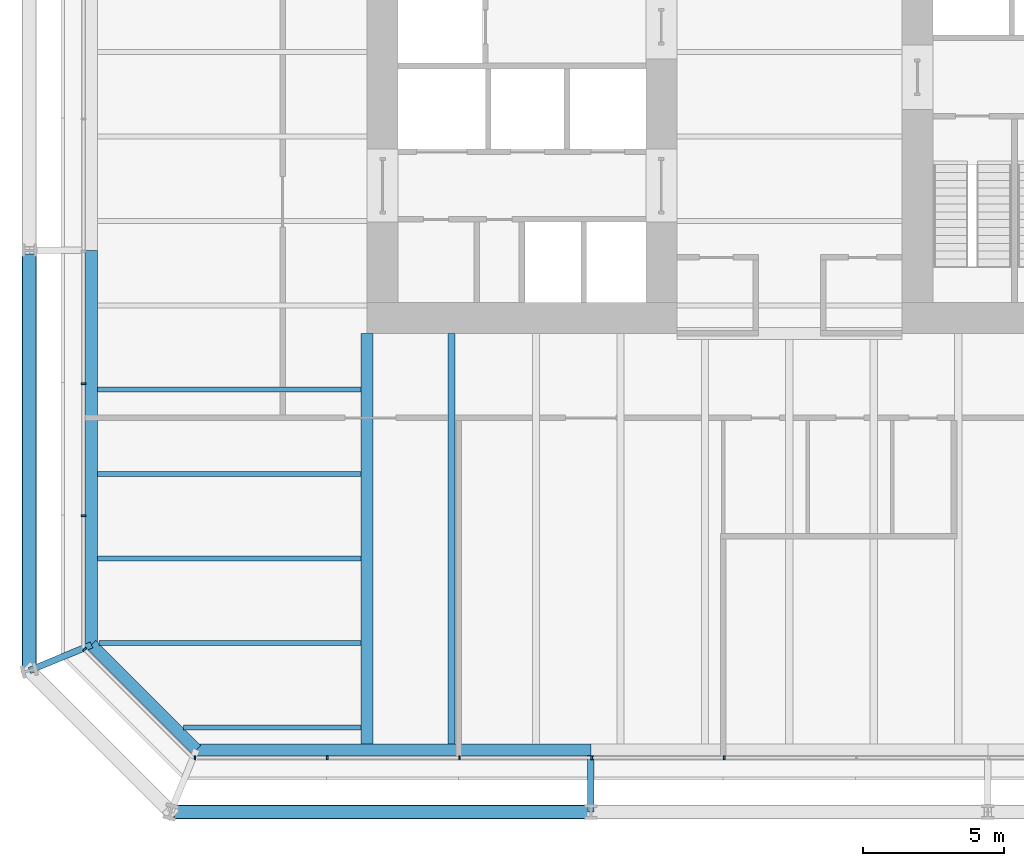
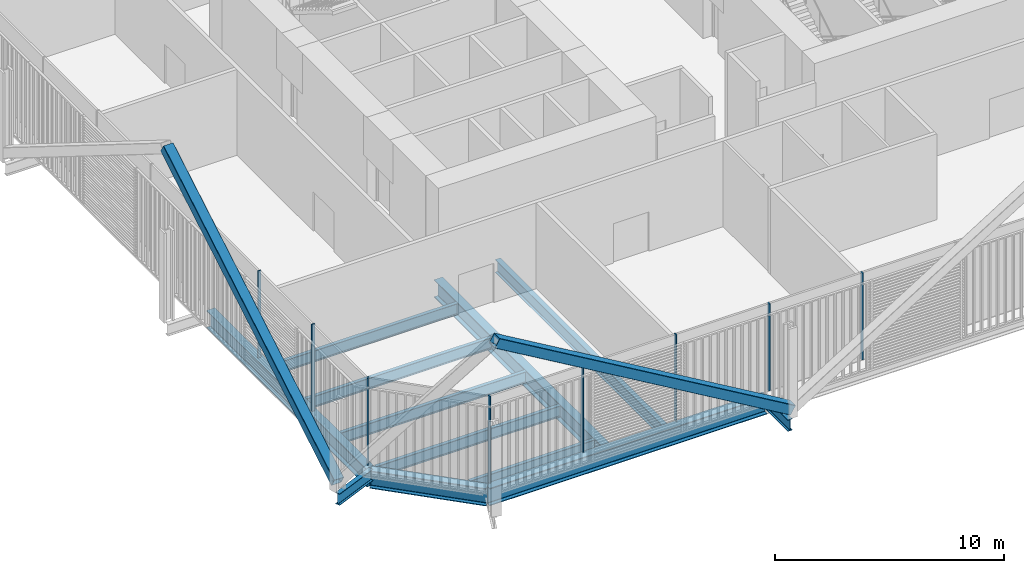
# One storey, part 2 of 22: 12 beams, 10 members, 3 elements without a shape of their own.
"""IFC4 building model written with IfcOpenShell, lengths in metres."""

from ifc_helpers import new_model, si_unit, direction, frame, origin, origin_2d, place, context, subcontext, project, spatial, rectangle, hollow_rectangle, i_section, extrude, material, layer, layer_set, material_profile, profile_set, type_object, element, aggregate, save


model = new_model("IFC4")

# Units and contexts
model_context = context("Model", 3, precision=1e-05, world=origin(), true_north=direction((0.0, 1.0)))
body_context = subcontext(model_context, "Body", "Model", "MODEL_VIEW")
ifc_project = project(units=[si_unit("LENGTHUNIT", "METRE"), si_unit("AREAUNIT", "SQUARE_METRE"), si_unit("VOLUMEUNIT", "CUBIC_METRE"), si_unit("PLANEANGLEUNIT", "RADIAN"), si_unit("MASSUNIT", "GRAM", prefix="KILO")], contexts=[model_context])

# Site, building, storey
site_placement = place(None, origin())
site = spatial("IfcSite", under=ifc_project, at=site_placement, CompositionType="ELEMENT")
building_placement = place(site_placement, origin())
building = spatial("IfcBuilding", under=site, at=building_placement, Name="Millrace Tower", CompositionType="ELEMENT")
storey_placement = place(building_placement, frame((0.0, 0.0, 20.89990234375)))
storey = spatial("IfcBuildingStorey", under=building, at=storey_placement, Name="L05", CompositionType="ELEMENT", Elevation=20.89990234375)

# Curtain wall, member
ifc_material_1 = material(Name="Aluminium and glass", Category="aluminium")
ifc_layer = layer(ifc_material_1, 0.14990234375)
ifc_layer_set = layer_set([ifc_layer], Name="Aluminium and glass")
curtain_wall_type = type_object("IfcCurtainWallType", Name="CW-2 data hall insulated curtain wall", PredefinedType="NOTDEFINED", material=ifc_layer_set)
placement = place(storey_placement, origin())
curtain_wall_1 = element("IfcCurtainWall", 1, at=placement, inside=storey, type_object=curtain_wall_type, Name="Curtain wall A-F01 L05", PredefinedType="NOTDEFINED")
ifc_material_2 = material(Name="Aluminium", Category="aluminium")
ifc_material_profile_1 = material_profile(ifc_material_2, rectangle(XDim=0.06494140625, YDim=0.14990234375, at=origin_2d()))
ifc_profile_set_1 = profile_set([ifc_material_profile_1], Name="Aluminium")
member_type_1 = type_object("IfcMemberType", Name="CW-2 data hall insulated curtain wall mullion", PredefinedType="MULLION", material=ifc_profile_set_1)
member_1_placement = place(storey_placement, frame((-25.030029296875, -21.22607421875, 0.16015625), z_axis=(0.0, 0.0, 1.0), x_axis=(0.707106781187, -0.707106781187, 0.0)))
member_1 = element("IfcMember", 2, at=member_1_placement, type_object=member_type_1, Name="CW2 mullion A-F01.1", PredefinedType="MULLION", context=body_context, shape_type="SweptSolid", body=[
    extrude(rectangle(XDim=0.06494140625, YDim=0.14990234375, at=origin_2d()), origin(), (0.0, 0.0, 1.0), 4.639892578125),
])
aggregate(curtain_wall_1, [member_1])

# Curtain wall, members
curtain_wall_2 = element("IfcCurtainWall", 3, at=placement, inside=storey, type_object=curtain_wall_type, Name="Curtain wall A-F02 L05", PredefinedType="NOTDEFINED")
member_2_placement = place(storey_placement, frame((-21.117431640625, -25.074951171875, 0.16015625), z_axis=(0.0, 0.0, 1.0), x_axis=(1.0, 0.0, 0.0)))
member_2 = element("IfcMember", 4, at=member_2_placement, type_object=member_type_1, Name="CW2 mullion A-F02.1", PredefinedType="MULLION", context=body_context, shape_type="SweptSolid", body=[
    extrude(rectangle(XDim=0.06494140625, YDim=0.14990234375, at=origin_2d()), origin(), (0.0, 0.0, 1.0), 4.639892578125),
])
member_3_placement = place(storey_placement, frame((-16.41748046875, -25.074951171875, 0.16015625), z_axis=(0.0, 0.0, 1.0), x_axis=(1.0, 0.0, 0.0)))
member_3 = element("IfcMember", 5, at=member_3_placement, type_object=member_type_1, Name="CW2 mullion A-F02.2", PredefinedType="MULLION", context=body_context, shape_type="SweptSolid", body=[
    extrude(rectangle(XDim=0.06494140625, YDim=0.14990234375, at=origin_2d()), origin(), (0.0, 0.0, 1.0), 4.639892578125),
])
member_4_placement = place(storey_placement, frame((-11.717529296875, -25.074951171875, 0.16015625), z_axis=(0.0, 0.0, 1.0), x_axis=(1.0, 0.0, 0.0)))
member_4 = element("IfcMember", 6, at=member_4_placement, type_object=member_type_1, Name="CW2 mullion A-F02.3", PredefinedType="MULLION", context=body_context, shape_type="SweptSolid", body=[
    extrude(rectangle(XDim=0.06494140625, YDim=0.14990234375, at=origin_2d()), origin(), (0.0, 0.0, 1.0), 4.639892578125),
])
member_5_placement = place(storey_placement, frame((-7.017578125, -25.074951171875, 0.16015625), z_axis=(0.0, 0.0, 1.0), x_axis=(1.0, 0.0, 0.0)))
member_5 = element("IfcMember", 7, at=member_5_placement, type_object=member_type_1, Name="CW2 mullion A-F02.4", PredefinedType="MULLION", context=body_context, shape_type="SweptSolid", body=[
    extrude(rectangle(XDim=0.06494140625, YDim=0.14990234375, at=origin_2d()), origin(), (0.0, 0.0, 1.0), 4.639892578125),
])
member_6_placement = place(storey_placement, frame((-2.3173828125, -25.074951171875, 0.16015625), z_axis=(0.0, 0.0, 1.0), x_axis=(1.0, 0.0, 0.0)))
member_6 = element("IfcMember", 8, at=member_6_placement, type_object=member_type_1, Name="CW2 mullion A-F02.5", PredefinedType="MULLION", context=body_context, shape_type="SweptSolid", body=[
    extrude(rectangle(XDim=0.06494140625, YDim=0.14990234375, at=origin_2d()), origin(), (0.0, 0.0, 1.0), 4.639892578125),
])
aggregate(curtain_wall_2, [member_2, member_3, member_4, member_5, member_6])

curtain_wall_3 = element("IfcCurtainWall", 9, at=placement, inside=storey, type_object=curtain_wall_type, Name="Curtain wall A-F08 L05", PredefinedType="NOTDEFINED")
member_7_placement = place(storey_placement, frame((-25.074951171875, -11.782470703125, 0.16015625), z_axis=(0.0, 0.0, 1.0), x_axis=(0.0, -1.0, 0.0)))
member_7 = element("IfcMember", 10, at=member_7_placement, type_object=member_type_1, Name="CW2 mullion A-F08.8", PredefinedType="MULLION", context=body_context, shape_type="SweptSolid", body=[
    extrude(rectangle(XDim=0.06494140625, YDim=0.14990234375, at=origin_2d()), origin(), (0.0, 0.0, 1.0), 4.639892578125),
])
member_8_placement = place(storey_placement, frame((-25.074951171875, -16.482421875, 0.16015625), z_axis=(0.0, 0.0, 1.0), x_axis=(0.0, -1.0, 0.0)))
member_8 = element("IfcMember", 11, at=member_8_placement, type_object=member_type_1, Name="CW2 mullion A-F08.9", PredefinedType="MULLION", context=body_context, shape_type="SweptSolid", body=[
    extrude(rectangle(XDim=0.06494140625, YDim=0.14990234375, at=origin_2d()), origin(), (0.0, 0.0, 1.0), 4.639892578125),
])
aggregate(curtain_wall_3, [member_7, member_8])

# Members
ifc_material_3 = material(Name="Steel ASTM A500 Grade C", Category="steel")
ifc_material_profile_2 = material_profile(ifc_material_3, hollow_rectangle(XDim=0.508056640625, YDim=0.508056640625, WallThickness=0.022216796875, InnerFilletRadius=0.01123046875, OuterFilletRadius=0.033447265625, at=origin_2d()))
ifc_profile_set_2 = profile_set([ifc_material_profile_2], Name="Steel ASTM A500 Grade C")
member_type_2 = type_object("IfcMemberType", Name="Exoskeleton brace HSS20x20x7/8", PredefinedType="BRACE", material=ifc_profile_set_2)
for number, where, z_axis, x_axis, name in (
    (12, (-7.050048828125, -27.0, 0.400146484375), (-0.861464835883, 0.0, 0.507817227491), (0.0, -1.0, 0.0), "BRC-A-L05-02"),
    (13, (-27.0, -21.978515625, 0.400146484375), (0.0, 0.861464835883, 0.507817227491), (-1.0, 0.0, 0.0), "BRC-A-L05-16"),
):
    element("IfcMember", number, at=place(storey_placement, frame(where, z_axis=z_axis, x_axis=x_axis)), inside=storey, type_object=member_type_2, Name=name, PredefinedType="BRACE", context=body_context, shape_type="SweptSolid", body=[
        extrude(hollow_rectangle(XDim=0.508056640625, YDim=0.508056640625, WallThickness=0.022216796875, InnerFilletRadius=0.01123046875, OuterFilletRadius=0.033447265625, at=origin_2d()), origin(), (0.0, 0.0, 1.0), 17.3291015625),
    ])

# Beams
ifc_material_4 = material(Name="Steel ASTM A992 Grade 50", Category="steel")
ifc_material_profile_3 = material_profile(ifc_material_4, i_section(OverallWidth=0.177978515625, OverallDepth=0.599365234375, WebThickness=0.010009765625, FlangeThickness=0.012939453125, FilletRadius=0.012939453125, at=origin_2d()))
ifc_profile_set_3 = profile_set([ifc_material_profile_3], Name="Steel ASTM A992 Grade 50")
beam_type_1 = type_object("IfcBeamType", Name="Floor beam W24x55", PredefinedType="JOIST", material=ifc_profile_set_3)
beam_1_placement = place(storey_placement, frame((-21.52978515625, -24.0, -0.524658203125), z_axis=(1.0, 0.0, 0.0), x_axis=(0.0, 1.0, 0.0)))
element("IfcBeam", 14, at=beam_1_placement, inside=storey, type_object=beam_type_1, Name="BM-A-L05-S1-S001", PredefinedType="JOIST", context=body_context, shape_type="SweptSolid", body=[
    extrude(i_section(OverallWidth=0.177978515625, OverallDepth=0.599365234375, WebThickness=0.010009765625, FlangeThickness=0.012939453125, FilletRadius=0.012939453125, at=origin_2d()), origin(), (0.0, 0.0, 1.0), 6.317626953125),
])
ifc_material_5 = material(Name="Steel ASTM A992 Grade 50", Category="steel")
ifc_material_profile_4 = material_profile(ifc_material_5, i_section(OverallWidth=0.1787109375, OverallDepth=0.60205078125, WebThickness=0.010986328125, FlangeThickness=0.014892578125, FilletRadius=0.0126953125, at=origin_2d()))
ifc_profile_set_4 = profile_set([ifc_material_profile_4], Name="Steel ASTM A992 Grade 50")
beam_type_2 = type_object("IfcBeamType", Name="Floor beam W24x62", PredefinedType="JOIST", material=ifc_profile_set_4)
for number, where, z_axis, x_axis, name in (
    (15, (-24.578369140625, -18.0, -0.52587890625), (1.0, 0.0, 0.0), (0.0, 1.0, 0.0), "BM-A-L05-S1-S005"),
    (16, (-24.578369140625, -15.0, -0.52587890625), (1.0, 0.0, 0.0), (0.0, 1.0, 0.0), "BM-A-L05-S1-S007"),
    (17, (-24.578369140625, -12.0, -0.52587890625), (1.0, 0.0, 0.0), (0.0, 1.0, 0.0), "BM-A-L05-S1-S009"),
):
    element("IfcBeam", number, at=place(storey_placement, frame(where, z_axis=z_axis, x_axis=x_axis)), inside=storey, type_object=beam_type_2, Name=name, PredefinedType="JOIST", context=body_context, shape_type="SweptSolid", body=[
        extrude(i_section(OverallWidth=0.1787109375, OverallDepth=0.60205078125, WebThickness=0.010986328125, FlangeThickness=0.014892578125, FilletRadius=0.0126953125, at=origin_2d()), origin(), (0.0, 0.0, 1.0), 9.3662109375),
    ])
beam_2_placement = place(storey_placement, frame((-24.52978515625, -21.0, -0.52587890625), z_axis=(1.0, 0.0, 0.0), x_axis=(0.0, 1.0, 0.0)))
element("IfcBeam", 18, at=beam_2_placement, inside=storey, type_object=beam_type_2, Name="BM-A-L05-S1-S003", PredefinedType="JOIST", context=body_context, shape_type="SweptSolid", body=[
    extrude(i_section(OverallWidth=0.1787109375, OverallDepth=0.60205078125, WebThickness=0.010986328125, FlangeThickness=0.014892578125, FilletRadius=0.0126953125, at=origin_2d()), origin(), (0.0, 0.0, 1.0), 9.317626953125),
])
ifc_material_6 = material(Name="Steel ASTM A992 Grade 50", Category="steel")
ifc_material_profile_5 = material_profile(ifc_material_6, i_section(OverallWidth=0.256591796875, OverallDepth=0.693359375, WebThickness=0.014404296875, FlangeThickness=0.023681640625, FilletRadius=0.01513671875, at=origin_2d()))
ifc_profile_set_5 = profile_set([ifc_material_profile_5], Name="Steel ASTM A992 Grade 50")
beam_type_3 = type_object("IfcBeamType", Name="Floor beam W27x114", PredefinedType="JOIST", material=ifc_profile_set_5)
beam_3_placement = place(storey_placement, frame((-12.0, -24.578369140625, -0.571533203125), z_axis=(0.0, 1.0, 0.0), x_axis=(-1.0, 0.0, 0.0)))
element("IfcBeam", 19, at=beam_3_placement, inside=storey, type_object=beam_type_3, Name="BM-A-L05-S1-S043", PredefinedType="JOIST", context=body_context, shape_type="SweptSolid", body=[
    extrude(i_section(OverallWidth=0.256591796875, OverallDepth=0.693359375, WebThickness=0.014404296875, FlangeThickness=0.023681640625, FilletRadius=0.01513671875, at=origin_2d()), origin(), (0.0, 0.0, 1.0), 14.578369140625),
])
ifc_material_7 = material(Name="Steel ASTM A992 Grade 50", Category="steel")
ifc_material_profile_6 = material_profile(ifc_material_7, i_section(OverallWidth=0.424072265625, OverallDepth=0.947509765625, WebThickness=0.02392578125, FlangeThickness=0.042724609375, FilletRadius=0.024169921875, at=origin_2d()))
ifc_profile_set_6 = profile_set([ifc_material_profile_6], Name="Steel ASTM A992 Grade 50")
beam_type_4 = type_object("IfcBeamType", Name="Girder medium span W36x302", PredefinedType="BEAM", material=ifc_profile_set_6)
beam_4_placement = place(storey_placement, frame((-15.0, -24.578369140625, -0.69873046875), z_axis=(0.0, 1.0, 0.0), x_axis=(-1.0, 0.0, 0.0)))
element("IfcBeam", 20, at=beam_4_placement, inside=storey, type_object=beam_type_4, Name="BM-A-L05-S1-G061", PredefinedType="BEAM", context=body_context, shape_type="SweptSolid", body=[
    extrude(i_section(OverallWidth=0.424072265625, OverallDepth=0.947509765625, WebThickness=0.02392578125, FlangeThickness=0.042724609375, FilletRadius=0.024169921875, at=origin_2d()), origin(), (0.0, 0.0, 1.0), 14.578369140625),
])
ifc_material_8 = material(Name="Steel ASTM A992 Grade 50", Category="steel")
ifc_material_profile_7 = material_profile(ifc_material_8, i_section(OverallWidth=0.23046875, OverallDepth=0.6171875, WebThickness=0.01318359375, FlangeThickness=0.022216796875, FilletRadius=0.012939453125, at=origin_2d()))
ifc_profile_set_7 = profile_set([ifc_material_profile_7], Name="Steel ASTM A992 Grade 50")
beam_type_5 = type_object("IfcBeamType", Name="Link beam W24x94", PredefinedType="BEAM", material=ifc_profile_set_7)
beam_5_placement = place(storey_placement, frame((-24.7890625, -21.062744140625, -0.533447265625), z_axis=(-0.923883789366, -0.382673155247, 0.0), x_axis=(0.382673155247, -0.923883789366, 0.0)))
element("IfcBeam", 21, at=beam_5_placement, inside=storey, type_object=beam_type_5, Name="LNK-A-L05-S1-01", PredefinedType="BEAM", context=body_context, shape_type="SweptSolid", body=[
    extrude(i_section(OverallWidth=0.23046875, OverallDepth=0.6171875, WebThickness=0.01318359375, FlangeThickness=0.022216796875, FilletRadius=0.012939453125, at=origin_2d()), origin(), (0.0, 0.0, 1.0), 2.39306640625),
])
beam_6_placement = place(storey_placement, frame((-7.050048828125, -25.0, -0.533447265625), z_axis=(0.0, -1.0, 0.0), x_axis=(1.0, 0.0, 0.0)))
element("IfcBeam", 22, at=beam_6_placement, inside=storey, type_object=beam_type_5, Name="LNK-A-L05-S1-15", PredefinedType="BEAM", context=body_context, shape_type="SweptSolid", body=[
    extrude(i_section(OverallWidth=0.23046875, OverallDepth=0.6171875, WebThickness=0.01318359375, FlangeThickness=0.022216796875, FilletRadius=0.012939453125, at=origin_2d()), origin(), (0.0, 0.0, 1.0), 2.0),
])
ifc_material_9 = material(Name="Steel ASTM A992 Grade 50", Category="steel")
ifc_material_profile_8 = material_profile(ifc_material_9, i_section(OverallWidth=0.421630859375, OverallDepth=0.937255859375, WebThickness=0.021240234375, FlangeThickness=0.03662109375, FilletRadius=0.024169921875, at=origin_2d()))
ifc_profile_set_8 = profile_set([ifc_material_profile_8], Name="Steel ASTM A992 Grade 50")
beam_type_6 = type_object("IfcBeamType", Name="Ring beam medium span W36x262", PredefinedType="SPANDREL", material=ifc_profile_set_8)
for number, where, z_axis, x_axis, name in (
    (23, (-24.7890625, -21.062744140625, -0.693603515625), (0.0, 1.0, 0.0), (-1.0, 0.0, 0.0), "RNG-A-L05-S1-01"),
    (24, (-7.050048828125, -24.7890625, -0.693603515625), (-1.0, 0.0, 0.0), (0.0, -1.0, 0.0), "RNG-A-L05-S1-15"),
):
    element("IfcBeam", number, at=place(storey_placement, frame(where, z_axis=z_axis, x_axis=x_axis)), inside=storey, type_object=beam_type_6, Name=name, PredefinedType="SPANDREL", context=body_context, shape_type="SweptSolid", body=[
        extrude(i_section(OverallWidth=0.421630859375, OverallDepth=0.937255859375, WebThickness=0.021240234375, FlangeThickness=0.03662109375, FilletRadius=0.024169921875, at=origin_2d()), origin(), (0.0, 0.0, 1.0), 14.0126953125),
    ])
ifc_material_10 = material(Name="Steel ASTM A992 Grade 50", Category="steel")
ifc_material_profile_9 = material_profile(ifc_material_10, i_section(OverallWidth=0.421630859375, OverallDepth=0.937255859375, WebThickness=0.021240234375, FlangeThickness=0.03662109375, FilletRadius=0.024169921875, at=origin_2d()))
ifc_profile_set_9 = profile_set([ifc_material_profile_9], Name="Steel ASTM A992 Grade 50")
beam_type_7 = type_object("IfcBeamType", Name="Ring beam short span W36x262", PredefinedType="SPANDREL", material=ifc_profile_set_9)
beam_7_placement = place(storey_placement, frame((-21.062744140625, -24.7890625, -0.693603515625), z_axis=(-0.707106781187, 0.707106781187, 0.0), x_axis=(-0.707106781187, -0.707106781187, 0.0)))
element("IfcBeam", 25, at=beam_7_placement, inside=storey, type_object=beam_type_7, Name="RNG-A-L05-S1-16", PredefinedType="SPANDREL", context=body_context, shape_type="SweptSolid", body=[
    extrude(i_section(OverallWidth=0.421630859375, OverallDepth=0.937255859375, WebThickness=0.021240234375, FlangeThickness=0.03662109375, FilletRadius=0.024169921875, at=origin_2d()), origin(), (0.0, 0.0, 1.0), 5.269775390625),
])

save(model, "model.ifc")
